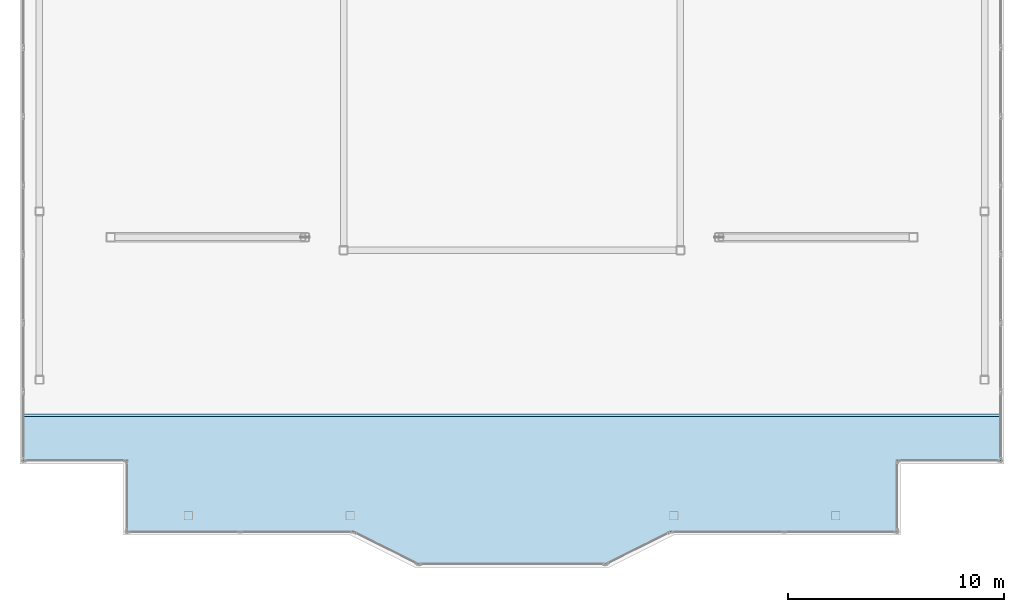
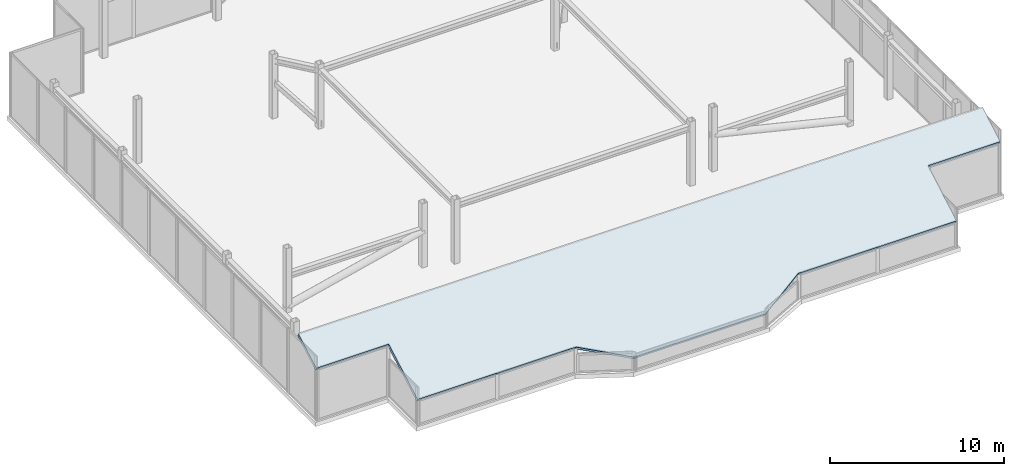
# One storey, part 15 of 16: 1 roof.
"""IFC4 building model written with IfcOpenShell, lengths in metres."""

from ifc_helpers import new_model, si_unit, direction, frame, origin, place, context, subcontext, project, spatial, polyline, outline, extrude, material, layer, layer_set, type_object, element, save


model = new_model("IFC4")

# Units and contexts
model_context = context("Model", 3, precision=1e-05, world=origin(), true_north=direction((0.0, 1.0)))
body_context = subcontext(model_context, "Body", "Model", "MODEL_VIEW")
ifc_project = project(units=[si_unit("LENGTHUNIT", "METRE"), si_unit("AREAUNIT", "SQUARE_METRE"), si_unit("VOLUMEUNIT", "CUBIC_METRE"), si_unit("PLANEANGLEUNIT", "RADIAN"), si_unit("MASSUNIT", "GRAM", prefix="KILO")], contexts=[model_context])

# Site, building, storey
site_placement = place(None, origin())
site = spatial("IfcSite", under=ifc_project, at=site_placement, CompositionType="ELEMENT")
building_placement = place(site_placement, origin())
building = spatial("IfcBuilding", under=site, at=building_placement, Name="Tarnavaz Court Tower", CompositionType="ELEMENT")
storey_placement = place(building_placement, frame((0.0, 0.0, 290.550048828125)))
storey = spatial("IfcBuildingStorey", under=building, at=storey_placement, Name="C03", CompositionType="ELEMENT", Elevation=290.550048828125)

# Roof
ifc_material = material(Name="Precast Concrete C40/50", Category="concrete")
ifc_layer = layer(ifc_material, 0.219970703125)
ifc_layer_set = layer_set([ifc_layer], Name="Precast Concrete C40/50")
roof_type = type_object("IfcRoofType", Name="RF-CROWN-220", PredefinedType="SHED_ROOF", material=ifc_layer_set)
roof_placement = place(storey_placement, frame((-22.64990234375, -17.550048828125, 3.6494140625), z_axis=(0.0, -0.492267677263, 0.870443871782), x_axis=(0.0, 0.870443871782, 0.492267677263)))
element("IfcRoof", 1, at=roof_placement, inside=storey, type_object=roof_type, Name="C03 Slanted-Cut Crown Roof Deck ALL", PredefinedType="SHED_ROOF", context=body_context, shape_type="SweptSolid", body=[
    extrude(outline(polyline([(0.0, 0.0), (2.3551993141288654, 0.0), (2.3551993141288654, -45.29980468749999), (0.0, -45.29980468749999), (0.0, -40.49999999999999), (-3.79118260250729, -40.49999999999999), (-3.79118260250729, -29.999999999999996), (-5.514482731099793, -26.999999999999996), (-5.514482731099793, -18.299804687499996), (-3.79118260250729, -15.299804687499998), (-3.79118260250729, -4.799804687499999), (0.0, -4.799804687499999), (0.0, 0.0)])), origin(), (0.0, 0.0, -1.0), 0.219970703125),
])

save(model, "model.ifc")
